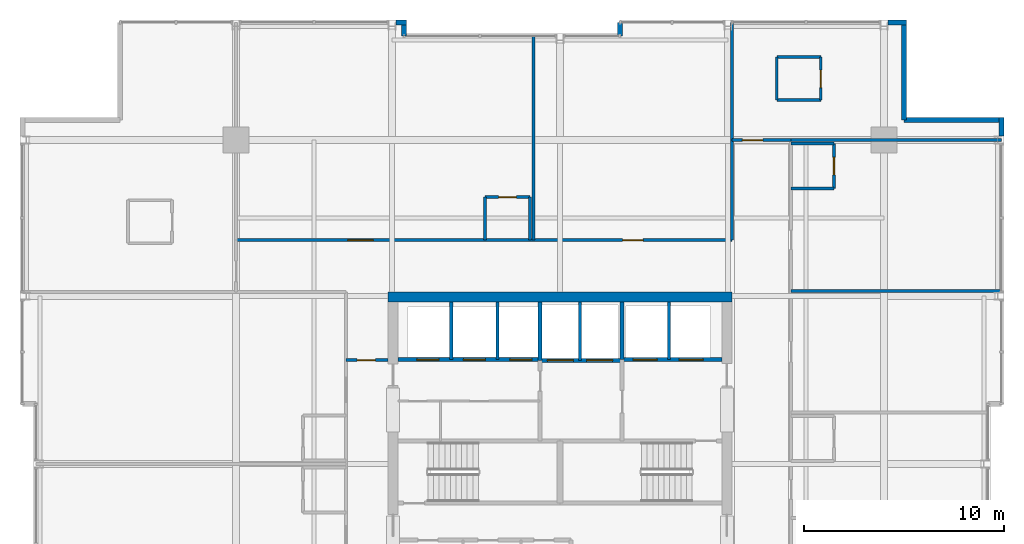
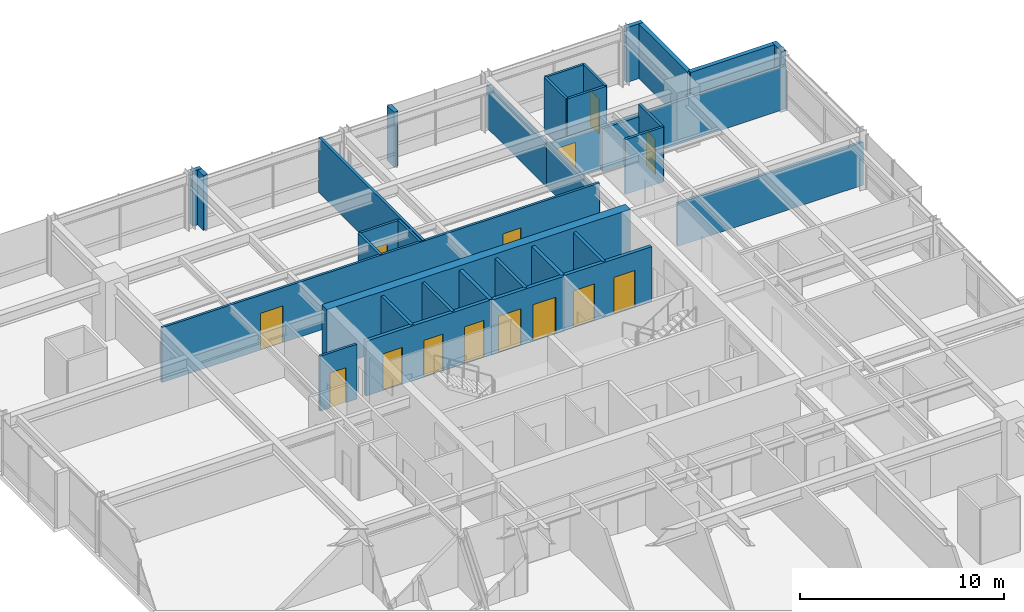
# One storey, part 29 of 32: 35 walls, 14 doors, 14 openings.
"""IFC4 building model written with IfcOpenShell, lengths in metres."""

from ifc_helpers import new_model, si_unit, direction, frame, frame_2d, origin, place, context, subcontext, project, spatial, rectangle, extrude, material, layer, layer_set, type_object, element, fill, save


model = new_model("IFC4")

# Units and contexts
model_context = context("Model", 3, precision=1e-05, world=origin(), true_north=direction((0.0, 1.0)))
body_context = subcontext(model_context, "Body", "Model", "MODEL_VIEW")
ifc_project = project(units=[si_unit("LENGTHUNIT", "METRE"), si_unit("AREAUNIT", "SQUARE_METRE"), si_unit("VOLUMEUNIT", "CUBIC_METRE"), si_unit("PLANEANGLEUNIT", "RADIAN"), si_unit("MASSUNIT", "GRAM", prefix="KILO")], contexts=[model_context])

# Site, building, storey
site_placement = place(None, origin())
site = spatial("IfcSite", under=ifc_project, at=site_placement, CompositionType="ELEMENT")
building_placement = place(site_placement, origin())
building = spatial("IfcBuilding", under=site, at=building_placement, Name="Drelvath Grand Hotel", CompositionType="ELEMENT")
storey_placement = place(building_placement, frame((0.0, 0.0, 193.0)))
storey = spatial("IfcBuildingStorey", under=building, at=storey_placement, Name="L50", CompositionType="ELEMENT", Elevation=193.0)

# Wall, openings, doors
ifc_material_1 = material(Name="Concrete C40/50", Category="concrete")
ifc_layer_1 = layer(ifc_material_1, 0.199951171875)
ifc_layer_set_1 = layer_set([ifc_layer_1], Name="Concrete C40/50")
wall_type_1 = type_object("IfcWallType", Name="Core Hoistway Fire Wall 200", PredefinedType="SOLIDWALL", material=ifc_layer_set_1)
wall_1_placement = place(storey_placement, frame((3.10009765625, 32.219970703125, 0.0), z_axis=(0.0, 0.0, 1.0), x_axis=(1.0, 0.0, 0.0)))
wall_1 = element("IfcWall", 1, at=wall_1_placement, inside=storey, type_object=wall_type_1, Name="L50 FSAE Hoistway Front Wall", PredefinedType="SOLIDWALL", context=body_context, shape_type="SweptSolid", body=[
    extrude(rectangle(XDim=5.0, YDim=0.199951171875, at=frame_2d((2.5, 0.0))), origin(), (0.0, 0.0, 1.0), 3.2900390625),
])
opening_1_placement = place(wall_1_placement, frame((0.550048828125, 0.0, 0.0)))
opening_1 = element("IfcOpeningElement", 2, at=opening_1_placement, cuts=wall_1, Name="Opening LD-FSAE-1", PredefinedType="OPENING", context=body_context, shape_type="SweptSolid", body=[
    extrude(rectangle(XDim=1.199951171875, YDim=2.199951171875, at=frame_2d((0.60009765625, 1.10009765625))), frame((0.0, 0.10986328125, 0.0), z_axis=(0.0, -1.0, 0.0), x_axis=(1.0, 0.0, 0.0)), (0.0, 0.0, 1.0), 0.219970703125),
])
opening_2_placement = place(wall_1_placement, frame((2.85009765625, 0.0, 0.0)))
opening_2 = element("IfcOpeningElement", 3, at=opening_2_placement, cuts=wall_1, Name="Opening LD-FSAE-2", PredefinedType="OPENING", context=body_context, shape_type="SweptSolid", body=[
    extrude(rectangle(XDim=1.199951171875, YDim=2.199951171875, at=frame_2d((0.60009765625, 1.10009765625))), frame((0.0, 0.10986328125, 0.0), z_axis=(0.0, -1.0, 0.0), x_axis=(1.0, 0.0, 0.0)), (0.0, 0.0, 1.0), 0.219970703125),
])
ifc_material_2 = material(Name="Stainless Steel S355", Category="steel")
door_type_1 = type_object("IfcDoorType", Name="FSAE Lift Sliding Landing Door 1200x2200", OperationType="NOTDEFINED", PredefinedType="DOOR", material=ifc_material_2)
door_1_placement = place(opening_1_placement, origin())
door_1 = element("IfcDoor", 4, at=door_1_placement, inside=storey, type_object=door_type_1, Name="L50 Lift FSAE-1 Landing Door", OperationType="SLIDING_TO_LEFT", OverallHeight=2.199951171875, OverallWidth=1.199951171875, PredefinedType="DOOR", context=body_context, shape_type="SweptSolid", body=[
    extrude(rectangle(XDim=1.199951171875, YDim=2.199951171875, at=frame_2d((0.60009765625, 1.10009765625))), frame((0.0, 0.02490234375, 0.0), z_axis=(0.0, -1.0, 0.0), x_axis=(1.0, 0.0, 0.0)), (0.0, 0.0, 1.0), 0.050048828125),
])
fill(opening_1, door_1)
door_2_placement = place(opening_2_placement, origin())
door_2 = element("IfcDoor", 5, at=door_2_placement, inside=storey, type_object=door_type_1, Name="L50 Lift FSAE-2 Landing Door", OperationType="SLIDING_TO_LEFT", OverallHeight=2.199951171875, OverallWidth=1.199951171875, PredefinedType="DOOR", context=body_context, shape_type="SweptSolid", body=[
    extrude(rectangle(XDim=1.199951171875, YDim=2.199951171875, at=frame_2d((0.60009765625, 1.10009765625))), frame((0.0, 0.02490234375, 0.0), z_axis=(0.0, -1.0, 0.0), x_axis=(1.0, 0.0, 0.0)), (0.0, 0.0, 1.0), 0.050048828125),
])
fill(opening_2, door_2)

# Wall
wall_2_placement = place(storey_placement, frame((3.10009765625, 32.219970703125, 0.0), z_axis=(0.0, 0.0, 1.0), x_axis=(0.0, 1.0, 0.0)))
element("IfcWall", 6, at=wall_2_placement, inside=storey, type_object=wall_type_1, Name="L50 FSAE Hoistway West Wall", PredefinedType="SOLIDWALL", context=body_context, shape_type="SweptSolid", body=[
    extrude(rectangle(XDim=2.880126953125, YDim=0.199951171875, at=frame_2d((1.43994140625, 0.0))), origin(), (0.0, 0.0, 1.0), 3.2900390625),
])

# Wall, openings, doors
wall_3_placement = place(storey_placement, frame((-1.0, 32.179931640625, 0.0), z_axis=(0.0, 0.0, 1.0), x_axis=(1.0, 0.0, 0.0)))
wall_3 = element("IfcWall", 7, at=wall_3_placement, inside=storey, type_object=wall_type_1, Name="L50 Service Lift Hoistway Wall", PredefinedType="SOLIDWALL", context=body_context, shape_type="SweptSolid", body=[
    extrude(rectangle(XDim=4.10009765625, YDim=0.199951171875, at=frame_2d((2.050048828125, 0.0))), origin(), (0.0, 0.0, 1.0), 3.2900390625),
])
opening_3_placement = place(wall_3_placement, frame((0.3701171875, 0.0, 0.0)))
opening_3 = element("IfcOpeningElement", 8, at=opening_3_placement, cuts=wall_3, Name="Opening LD-SV-2", PredefinedType="OPENING", context=body_context, shape_type="SweptSolid", body=[
    extrude(rectangle(XDim=1.300048828125, YDim=2.199951171875, at=frame_2d((0.64990234375, 1.10009765625))), frame((0.0, 0.10986328125, 0.0), z_axis=(0.0, -1.0, 0.0), x_axis=(1.0, 0.0, 0.0)), (0.0, 0.0, 1.0), 0.219970703125),
])
opening_4_placement = place(wall_3_placement, frame((2.330078125, 0.0, 0.0)))
opening_4 = element("IfcOpeningElement", 9, at=opening_4_placement, cuts=wall_3, Name="Opening LD-SV-1", PredefinedType="OPENING", context=body_context, shape_type="SweptSolid", body=[
    extrude(rectangle(XDim=1.300048828125, YDim=2.199951171875, at=frame_2d((0.64990234375, 1.10009765625))), frame((0.0, 0.10986328125, 0.0), z_axis=(0.0, -1.0, 0.0), x_axis=(1.0, 0.0, 0.0)), (0.0, 0.0, 1.0), 0.219970703125),
])
door_type_2 = type_object("IfcDoorType", Name="Service Lift Sliding Landing Door 1300x2200", OperationType="NOTDEFINED", PredefinedType="DOOR", material=ifc_material_2)
door_3_placement = place(opening_3_placement, origin())
door_3 = element("IfcDoor", 10, at=door_3_placement, inside=storey, type_object=door_type_2, Name="L50 Lift SV-2 Landing Door", OperationType="SLIDING_TO_LEFT", OverallHeight=2.199951171875, OverallWidth=1.300048828125, PredefinedType="DOOR", context=body_context, shape_type="SweptSolid", body=[
    extrude(rectangle(XDim=1.300048828125, YDim=2.199951171875, at=frame_2d((0.64990234375, 1.10009765625))), frame((0.0, 0.02490234375, 0.0), z_axis=(0.0, -1.0, 0.0), x_axis=(1.0, 0.0, 0.0)), (0.0, 0.0, 1.0), 0.050048828125),
])
fill(opening_3, door_3)
door_4_placement = place(opening_4_placement, origin())
door_4 = element("IfcDoor", 11, at=door_4_placement, inside=storey, type_object=door_type_2, Name="L50 Lift SV-1 Landing Door", OperationType="SLIDING_TO_LEFT", OverallHeight=2.199951171875, OverallWidth=1.300048828125, PredefinedType="DOOR", context=body_context, shape_type="SweptSolid", body=[
    extrude(rectangle(XDim=1.300048828125, YDim=2.199951171875, at=frame_2d((0.64990234375, 1.10009765625))), frame((0.0, 0.02490234375, 0.0), z_axis=(0.0, -1.0, 0.0), x_axis=(1.0, 0.0, 0.0)), (0.0, 0.0, 1.0), 0.050048828125),
])
fill(opening_4, door_4)

# Wall
wall_4_placement = place(storey_placement, frame((-1.0, 32.179931640625, 0.0), z_axis=(0.0, 0.0, 1.0), x_axis=(0.0, 1.0, 0.0)))
element("IfcWall", 12, at=wall_4_placement, inside=storey, type_object=wall_type_1, Name="L50 Service Lift West Wall", PredefinedType="SOLIDWALL", context=body_context, shape_type="SweptSolid", body=[
    extrude(rectangle(XDim=2.920166015625, YDim=0.199951171875, at=frame_2d((1.4599609375, 0.0))), origin(), (0.0, 0.0, 1.0), 3.2900390625),
])

# Wall, openings, doors
wall_5_placement = place(storey_placement, frame((-8.10009765625, 32.219970703125, 0.0), z_axis=(0.0, 0.0, 1.0), x_axis=(1.0, 0.0, 0.0)))
wall_5 = element("IfcWall", 13, at=wall_5_placement, inside=storey, type_object=wall_type_1, Name="L50 Bank 3 Hoistway Wall", PredefinedType="SOLIDWALL", context=body_context, shape_type="SweptSolid", body=[
    extrude(rectangle(XDim=7.10009765625, YDim=0.199951171875, at=frame_2d((3.550048828125, 0.0))), origin(), (0.0, 0.0, 1.0), 3.2900390625),
])
opening_5_placement = place(wall_5_placement, frame((0.949951171875, 0.0, 0.0)))
opening_5 = element("IfcOpeningElement", 14, at=opening_5_placement, cuts=wall_5, Name="Opening LD-PE-7", PredefinedType="OPENING", context=body_context, shape_type="SweptSolid", body=[
    extrude(rectangle(XDim=1.10009765625, YDim=2.199951171875, at=frame_2d((0.550048828125, 1.10009765625))), frame((0.0, 0.10986328125, 0.0), z_axis=(0.0, -1.0, 0.0), x_axis=(1.0, 0.0, 0.0)), (0.0, 0.0, 1.0), 0.219970703125),
])
opening_6_placement = place(wall_5_placement, frame((3.27001953125, 0.0, 0.0)))
opening_6 = element("IfcOpeningElement", 15, at=opening_6_placement, cuts=wall_5, Name="Opening LD-PE-8", PredefinedType="OPENING", context=body_context, shape_type="SweptSolid", body=[
    extrude(rectangle(XDim=1.10009765625, YDim=2.199951171875, at=frame_2d((0.550048828125, 1.10009765625))), frame((0.0, 0.10986328125, 0.0), z_axis=(0.0, -1.0, 0.0), x_axis=(1.0, 0.0, 0.0)), (0.0, 0.0, 1.0), 0.219970703125),
])
opening_7_placement = place(wall_5_placement, frame((5.590087890625, 0.0, 0.0)))
opening_7 = element("IfcOpeningElement", 16, at=opening_7_placement, cuts=wall_5, Name="Opening LD-PE-9", PredefinedType="OPENING", context=body_context, shape_type="SweptSolid", body=[
    extrude(rectangle(XDim=1.10009765625, YDim=2.199951171875, at=frame_2d((0.550048828125, 1.10009765625))), frame((0.0, 0.10986328125, 0.0), z_axis=(0.0, -1.0, 0.0), x_axis=(1.0, 0.0, 0.0)), (0.0, 0.0, 1.0), 0.219970703125),
])
door_type_3 = type_object("IfcDoorType", Name="Passenger Lift Sliding Landing Door 1100x2200", OperationType="NOTDEFINED", PredefinedType="DOOR", material=ifc_material_2)
door_5_placement = place(opening_5_placement, origin())
door_5 = element("IfcDoor", 17, at=door_5_placement, inside=storey, type_object=door_type_3, Name="L50 Lift PE-7 Landing Door", OperationType="SLIDING_TO_LEFT", OverallHeight=2.199951171875, OverallWidth=1.10009765625, PredefinedType="DOOR", context=body_context, shape_type="SweptSolid", body=[
    extrude(rectangle(XDim=1.10009765625, YDim=2.199951171875, at=frame_2d((0.550048828125, 1.10009765625))), frame((0.0, 0.02490234375, 0.0), z_axis=(0.0, -1.0, 0.0), x_axis=(1.0, 0.0, 0.0)), (0.0, 0.0, 1.0), 0.050048828125),
])
fill(opening_5, door_5)
door_6_placement = place(opening_6_placement, origin())
door_6 = element("IfcDoor", 18, at=door_6_placement, inside=storey, type_object=door_type_3, Name="L50 Lift PE-8 Landing Door", OperationType="SLIDING_TO_LEFT", OverallHeight=2.199951171875, OverallWidth=1.10009765625, PredefinedType="DOOR", context=body_context, shape_type="SweptSolid", body=[
    extrude(rectangle(XDim=1.10009765625, YDim=2.199951171875, at=frame_2d((0.550048828125, 1.10009765625))), frame((0.0, 0.02490234375, 0.0), z_axis=(0.0, -1.0, 0.0), x_axis=(1.0, 0.0, 0.0)), (0.0, 0.0, 1.0), 0.050048828125),
])
fill(opening_6, door_6)
door_7_placement = place(opening_7_placement, origin())
door_7 = element("IfcDoor", 19, at=door_7_placement, inside=storey, type_object=door_type_3, Name="L50 Lift PE-9 Landing Door", OperationType="SLIDING_TO_LEFT", OverallHeight=2.199951171875, OverallWidth=1.10009765625, PredefinedType="DOOR", context=body_context, shape_type="SweptSolid", body=[
    extrude(rectangle(XDim=1.10009765625, YDim=2.199951171875, at=frame_2d((0.550048828125, 1.10009765625))), frame((0.0, 0.02490234375, 0.0), z_axis=(0.0, -1.0, 0.0), x_axis=(1.0, 0.0, 0.0)), (0.0, 0.0, 1.0), 0.050048828125),
])
fill(opening_7, door_7)

# Walls
ifc_material_3 = material(Name="Gypsum Fireboard Partition")
ifc_layer_2 = layer(ifc_material_3, 0.1650390625)
ifc_layer_set_2 = layer_set([ifc_layer_2], Name="Gypsum Fireboard Partition")
wall_type_2 = type_object("IfcWallType", Name="Core Shaft Partition 165", PredefinedType="PARTITIONING", material=ifc_layer_set_2)
wall_6_placement = place(storey_placement, frame((5.449951171875, 32.219970703125, 0.0), z_axis=(0.0, 0.0, 1.0), x_axis=(0.0, 1.0, 0.0)))
element("IfcWall", 20, at=wall_6_placement, inside=storey, type_object=wall_type_2, Name="L50 FSAE Hoistway Divider", PredefinedType="PARTITIONING", context=body_context, shape_type="SweptSolid", body=[
    extrude(rectangle(XDim=2.880126953125, YDim=0.1650390625, at=frame_2d((1.43994140625, 0.0))), origin(), (0.0, 0.0, 1.0), 3.2900390625),
])
wall_7_placement = place(storey_placement, frame((1.0, 32.179931640625, 0.0), z_axis=(0.0, 0.0, 1.0), x_axis=(0.0, 1.0, 0.0)))
element("IfcWall", 21, at=wall_7_placement, inside=storey, type_object=wall_type_2, Name="L50 Service Lift Divider", PredefinedType="PARTITIONING", context=body_context, shape_type="SweptSolid", body=[
    extrude(rectangle(XDim=2.920166015625, YDim=0.1650390625, at=frame_2d((1.4599609375, 0.0))), origin(), (0.0, 0.0, 1.0), 3.2900390625),
])
for number, where, z_axis, x_axis, name in (
    (22, (-5.43994140625, 32.219970703125, 0.0), (0.0, 0.0, 1.0), (0.0, 1.0, 0.0), "L50 Lift PE-7/8 Divider"),
    (23, (-3.1201171875, 32.219970703125, 0.0), (0.0, 0.0, 1.0), (0.0, 1.0, 0.0), "L50 Lift PE-8/9 Divider"),
):
    element("IfcWall", number, at=place(storey_placement, frame(where, z_axis=z_axis, x_axis=x_axis)), inside=storey, type_object=wall_type_2, Name=name, PredefinedType="PARTITIONING", context=body_context, shape_type="SweptSolid", body=[
        extrude(rectangle(XDim=2.880126953125, YDim=0.1650390625, at=frame_2d((1.43994140625, 0.0))), origin(), (0.0, 0.0, 1.0), 3.2900390625),
    ])

# Wall, opening, door
ifc_layer_3 = layer(ifc_material_3, 0.135009765625)
ifc_layer_set_3 = layer_set([ifc_layer_3], Name="Gypsum Fireboard Partition")
wall_type_3 = type_object("IfcWallType", Name="Corridor Fire Barrier Wall 135", PredefinedType="PARTITIONING", material=ifc_layer_set_3)
wall_8_placement = place(storey_placement, frame((-10.699951171875, 32.199951171875, 0.0), z_axis=(0.0, 0.0, 1.0), x_axis=(1.0, 0.0, 0.0)))
wall_8 = element("IfcWall", 24, at=wall_8_placement, inside=storey, type_object=wall_type_3, Name="L50 West Foyer North Wall", PredefinedType="PARTITIONING", context=body_context, shape_type="SweptSolid", body=[
    extrude(rectangle(XDim=2.099853515625, YDim=0.135009765625, at=frame_2d((1.0498046875, 0.0))), origin(), (0.0, 0.0, 1.0), 3.2900390625),
])
opening_8_placement = place(wall_8_placement, frame((0.550048828125, 0.0, 0.0)))
opening_8 = element("IfcOpeningElement", 25, at=opening_8_placement, cuts=wall_8, Name="Opening D-T3G5-025", PredefinedType="OPENING", context=body_context, shape_type="SweptSolid", body=[
    extrude(rectangle(XDim=0.919921875, YDim=2.10009765625, at=frame_2d((0.4599609375, 1.050048828125))), frame((0.0, 0.077392578125, 0.0), z_axis=(0.0, -1.0, 0.0), x_axis=(1.0, 0.0, 0.0)), (0.0, 0.0, 1.0), 0.155029296875),
])
ifc_material_4 = material(Name="Painted Steel S275", Category="steel")
door_type_4 = type_object("IfcDoorType", Name="Staff Utility Door 920x2100", OperationType="NOTDEFINED", PredefinedType="DOOR", material=ifc_material_4)
door_8_placement = place(opening_8_placement, origin())
door_8 = element("IfcDoor", 26, at=door_8_placement, inside=storey, type_object=door_type_4, Name="L50 West Pantry Door", OperationType="SINGLE_SWING_LEFT", OverallHeight=2.10009765625, OverallWidth=0.919921875, PredefinedType="DOOR", context=body_context, shape_type="SweptSolid", body=[
    extrude(rectangle(XDim=0.919921875, YDim=2.10009765625, at=frame_2d((0.4599609375, 1.050048828125))), frame((0.0, 0.02490234375, 0.0), z_axis=(0.0, -1.0, 0.0), x_axis=(1.0, 0.0, 0.0)), (0.0, 0.0, 1.0), 0.050048828125),
])
fill(opening_8, door_8)

# Wall
wall_9_placement = place(storey_placement, frame((8.60009765625, 38.199951171875, 0.0), z_axis=(0.0, 0.0, 1.0), x_axis=(0.0, 1.0, 0.0)))
element("IfcWall", 27, at=wall_9_placement, inside=storey, type_object=wall_type_3, Name="L50 East Spine North Inner Wall", PredefinedType="PARTITIONING", context=body_context, shape_type="SweptSolid", body=[
    extrude(rectangle(XDim=5.0, YDim=0.135009765625, at=frame_2d((2.5, 0.0))), origin(), (0.0, 0.0, 1.0), 2.66748046875),
])

# Wall, openings, doors
wall_10_placement = place(storey_placement, frame((-16.199951171875, 38.199951171875, 0.0), z_axis=(0.0, 0.0, 1.0), x_axis=(1.0, 0.0, 0.0)))
wall_10 = element("IfcWall", 28, at=wall_10_placement, inside=storey, type_object=wall_type_3, Name="L50 North Stub Corridor Wall", PredefinedType="PARTITIONING", context=body_context, shape_type="SweptSolid", body=[
    extrude(rectangle(XDim=24.800048828125, YDim=0.135009765625, at=frame_2d((12.39990234375, 0.0))), origin(), (0.0, 0.0, 1.0), 3.2900390625),
])
opening_9_placement = place(wall_10_placement, frame((5.594970703125, 0.0, 0.0)))
opening_9 = element("IfcOpeningElement", 29, at=opening_9_placement, cuts=wall_10, Name="Opening D-T3G5-044", PredefinedType="OPENING", context=body_context, shape_type="SweptSolid", body=[
    extrude(rectangle(XDim=1.260009765625, YDim=2.199951171875, at=frame_2d((0.6298828125, 1.10009765625))), frame((0.0, 0.077392578125, 0.0), z_axis=(0.0, -1.0, 0.0), x_axis=(1.0, 0.0, 0.0)), (0.0, 0.0, 1.0), 0.155029296875),
])
opening_10_placement = place(wall_10_placement, frame((19.330078125, 0.0, 0.0)))
opening_10 = element("IfcOpeningElement", 30, at=opening_10_placement, cuts=wall_10, Name="Opening D-T3G5-045", PredefinedType="OPENING", context=body_context, shape_type="SweptSolid", body=[
    extrude(rectangle(XDim=1.02001953125, YDim=2.14990234375, at=frame_2d((0.510009765625, 1.074951171875))), frame((0.0, 0.077392578125, 0.0), z_axis=(0.0, -1.0, 0.0), x_axis=(1.0, 0.0, 0.0)), (0.0, 0.0, 1.0), 0.155029296875),
])
ifc_material_5 = material(Name="Hardwood Walnut Timber", Category="wood")
door_type_5 = type_object("IfcDoorType", Name="Amenity Meeting Fire Door 1020x2150", OperationType="NOTDEFINED", PredefinedType="DOOR", material=ifc_material_5)
door_9_placement = place(opening_10_placement, origin())
door_9 = element("IfcDoor", 31, at=door_9_placement, inside=storey, type_object=door_type_5, Name="L50 Horizon Club Lounge Entry Door", OperationType="SINGLE_SWING_LEFT", OverallHeight=2.14990234375, OverallWidth=1.02001953125, PredefinedType="DOOR", context=body_context, shape_type="SweptSolid", body=[
    extrude(rectangle(XDim=1.02001953125, YDim=2.14990234375, at=frame_2d((0.510009765625, 1.074951171875))), frame((0.0, 0.02490234375, 0.0), z_axis=(0.0, -1.0, 0.0), x_axis=(1.0, 0.0, 0.0)), (0.0, 0.0, 1.0), 0.050048828125),
])
fill(opening_10, door_9)
door_type_6 = type_object("IfcDoorType", Name="Suite Entrance Fire Door 1260x2200", OperationType="NOTDEFINED", PredefinedType="DOOR", material=ifc_material_5)
door_10_placement = place(opening_9_placement, origin())
door_10 = element("IfcDoor", 32, at=door_10_placement, inside=storey, type_object=door_type_6, Name="L50 Executive Suite Entry Door", OperationType="SINGLE_SWING_RIGHT", OverallHeight=2.199951171875, OverallWidth=1.260009765625, PredefinedType="DOOR", context=body_context, shape_type="SweptSolid", body=[
    extrude(rectangle(XDim=1.260009765625, YDim=2.199951171875, at=frame_2d((0.6298828125, 1.10009765625))), frame((0.0, 0.02490234375, 0.0), z_axis=(0.0, -1.0, 0.0), x_axis=(1.0, 0.0, 0.0)), (0.0, 0.0, 1.0), 0.050048828125),
])
fill(opening_9, door_10)

# Wall, opening, door
wall_11_placement = place(storey_placement, frame((8.60009765625, 43.199951171875, 0.0), z_axis=(0.0, 0.0, 1.0), x_axis=(1.0, 0.0, 0.0)))
wall_11 = element("IfcWall", 33, at=wall_11_placement, inside=storey, type_object=wall_type_3, Name="L50 East Spine North End", PredefinedType="PARTITIONING", context=body_context, shape_type="SweptSolid", body=[
    extrude(rectangle(XDim=2.949951171875, YDim=0.135009765625, at=frame_2d((1.47509765625, 0.0))), origin(), (0.0, 0.0, 1.0), 2.57958984375),
])
opening_11_placement = place(wall_11_placement, frame((0.52001953125, 0.0, 0.0)))
opening_11 = element("IfcOpeningElement", 34, at=opening_11_placement, cuts=wall_11, Name="Opening D-T3G5-033", PredefinedType="OPENING", context=body_context, shape_type="SweptSolid", body=[
    extrude(rectangle(XDim=1.02001953125, YDim=2.14990234375, at=frame_2d((0.510009765625, 1.074951171875))), frame((0.0, 0.077392578125, 0.0), z_axis=(0.0, -1.0, 0.0), x_axis=(1.0, 0.0, 0.0)), (0.0, 0.0, 1.0), 0.155029296875),
])
door_11_placement = place(opening_11_placement, origin())
door_11 = element("IfcDoor", 35, at=door_11_placement, inside=storey, type_object=door_type_5, Name="L50 Executive Suite Entry Door", OperationType="SINGLE_SWING_LEFT", OverallHeight=2.14990234375, OverallWidth=1.02001953125, PredefinedType="DOOR", context=body_context, shape_type="SweptSolid", body=[
    extrude(rectangle(XDim=1.02001953125, YDim=2.14990234375, at=frame_2d((0.510009765625, 1.074951171875))), frame((0.0, 0.02490234375, 0.0), z_axis=(0.0, -1.0, 0.0), x_axis=(1.0, 0.0, 0.0)), (0.0, 0.0, 1.0), 0.050048828125),
])
fill(opening_11, door_11)

# Walls
ifc_material_6 = material(Name="Moisture-Resistant Gypsum Board")
ifc_layer_4 = layer(ifc_material_6, 0.139892578125)
ifc_layer_set_4 = layer_set([ifc_layer_4], Name="Moisture-Resistant Gypsum Board")
wall_type_4 = type_object("IfcWallType", Name="En-Suite Plumbing Wall 140", PredefinedType="PLUMBINGWALL", material=ifc_layer_set_4)
for number, where, z_axis, x_axis, name in (
    (36, (10.840087890625, 45.199951171875, 0.0), (0.0, 0.0, 1.0), (1.0, 0.0, 0.0), "L50 Corner En-Suite South"),
    (37, (10.840087890625, 47.35009765625, 0.0), (0.0, 0.0, 1.0), (1.0, 0.0, 0.0), "L50 Corner En-Suite North"),
):
    element("IfcWall", number, at=place(storey_placement, frame(where, z_axis=z_axis, x_axis=x_axis)), inside=storey, type_object=wall_type_4, Name=name, PredefinedType="PLUMBINGWALL", context=body_context, shape_type="SweptSolid", body=[
        extrude(rectangle(XDim=2.199951171875, YDim=0.139892578125, at=frame_2d((1.10009765625, 0.0))), origin(), (0.0, 0.0, 1.0), 3.2900390625),
    ])
wall_12_placement = place(storey_placement, frame((10.840087890625, 45.199951171875, 0.0), z_axis=(0.0, 0.0, 1.0), x_axis=(0.0, 1.0, 0.0)))
element("IfcWall", 38, at=wall_12_placement, inside=storey, type_object=wall_type_4, Name="L50 Corner En-Suite West", PredefinedType="PLUMBINGWALL", context=body_context, shape_type="SweptSolid", body=[
    extrude(rectangle(XDim=2.150146484375, YDim=0.139892578125, at=frame_2d((1.0751953125, 0.0))), origin(), (0.0, 0.0, 1.0), 3.2900390625),
])

# Wall, opening, door
wall_13_placement = place(storey_placement, frame((13.0400390625, 45.199951171875, 0.0), z_axis=(0.0, 0.0, 1.0), x_axis=(0.0, 1.0, 0.0)))
wall_13 = element("IfcWall", 39, at=wall_13_placement, inside=storey, type_object=wall_type_4, Name="L50 Corner En-Suite East", PredefinedType="PLUMBINGWALL", context=body_context, shape_type="SweptSolid", body=[
    extrude(rectangle(XDim=2.150146484375, YDim=0.139892578125, at=frame_2d((1.0751953125, 0.0))), origin(), (0.0, 0.0, 1.0), 3.2900390625),
])
opening_12_placement = place(wall_13_placement, frame((0.6201171875, 0.0, 0.0)))
opening_12 = element("IfcOpeningElement", 40, at=opening_12_placement, cuts=wall_13, Name="Opening D-T3G5-032", PredefinedType="OPENING", context=body_context, shape_type="SweptSolid", body=[
    extrude(rectangle(XDim=0.8798828125, YDim=2.10009765625, at=frame_2d((0.43994140625, 1.050048828125))), frame((0.0, 0.079833984375, 0.0), z_axis=(0.0, -1.0, 0.0), x_axis=(1.0, 0.0, 0.0)), (0.0, 0.0, 1.0), 0.159912109375),
])
door_type_7 = type_object("IfcDoorType", Name="En-Suite Bathroom Door 880x2100", OperationType="NOTDEFINED", PredefinedType="DOOR", material=ifc_material_5)
door_12_placement = place(opening_12_placement, origin())
door_12 = element("IfcDoor", 41, at=door_12_placement, inside=storey, type_object=door_type_7, Name="L50 Corner En-Suite Door", OperationType="SINGLE_SWING_RIGHT", OverallHeight=2.10009765625, OverallWidth=0.8798828125, PredefinedType="DOOR", context=body_context, shape_type="SweptSolid", body=[
    extrude(rectangle(XDim=0.8798828125, YDim=2.10009765625, at=frame_2d((0.43994140625, 1.050048828125))), frame((0.0, 0.02490234375, 0.0), z_axis=(0.0, -1.0, 0.0), x_axis=(1.0, 0.0, 0.0)), (0.0, 0.0, 1.0), 0.050048828125),
])
fill(opening_12, door_12)

# Walls
for number, where, z_axis, x_axis, name in (
    (42, (-3.75, 38.199951171875, 0.0), (0.0, 0.0, 1.0), (0.0, 1.0, 0.0), "L50 En-Suite Left Wall"),
    (43, (-1.5, 38.199951171875, 0.0), (0.0, 0.0, 1.0), (0.0, 1.0, 0.0), "L50 En-Suite Right Wall"),
):
    element("IfcWall", number, at=place(storey_placement, frame(where, z_axis=z_axis, x_axis=x_axis)), inside=storey, type_object=wall_type_4, Name=name, PredefinedType="PLUMBINGWALL", context=body_context, shape_type="SweptSolid", body=[
        extrude(rectangle(XDim=2.150146484375, YDim=0.139892578125, at=frame_2d((1.0751953125, 0.0))), origin(), (0.0, 0.0, 1.0), 3.2900390625),
    ])

# Wall, opening, door
wall_14_placement = place(storey_placement, frame((-3.75, 40.35009765625, 0.0), z_axis=(0.0, 0.0, 1.0), x_axis=(1.0, 0.0, 0.0)))
wall_14 = element("IfcWall", 44, at=wall_14_placement, inside=storey, type_object=wall_type_4, Name="L50 En-Suite Front Wall", PredefinedType="PLUMBINGWALL", context=body_context, shape_type="SweptSolid", body=[
    extrude(rectangle(XDim=2.25, YDim=0.139892578125, at=frame_2d((1.125, 0.0))), origin(), (0.0, 0.0, 1.0), 3.2900390625),
])
opening_13_placement = place(wall_14_placement, frame((0.68505859375, 0.0, 0.0)))
opening_13 = element("IfcOpeningElement", 45, at=opening_13_placement, cuts=wall_14, Name="Opening D-T3G5-043", PredefinedType="OPENING", context=body_context, shape_type="SweptSolid", body=[
    extrude(rectangle(XDim=0.8798828125, YDim=2.10009765625, at=frame_2d((0.43994140625, 1.050048828125))), frame((0.0, 0.079833984375, 0.0), z_axis=(0.0, -1.0, 0.0), x_axis=(1.0, 0.0, 0.0)), (0.0, 0.0, 1.0), 0.159912109375),
])
door_13_placement = place(opening_13_placement, origin())
door_13 = element("IfcDoor", 46, at=door_13_placement, inside=storey, type_object=door_type_7, Name="L50 En-Suite Bathroom Door", OperationType="SINGLE_SWING_LEFT", OverallHeight=2.10009765625, OverallWidth=0.8798828125, PredefinedType="DOOR", context=body_context, shape_type="SweptSolid", body=[
    extrude(rectangle(XDim=0.8798828125, YDim=2.10009765625, at=frame_2d((0.43994140625, 1.050048828125))), frame((0.0, 0.02490234375, 0.0), z_axis=(0.0, -1.0, 0.0), x_axis=(1.0, 0.0, 0.0)), (0.0, 0.0, 1.0), 0.050048828125),
])
fill(opening_13, door_13)

# Walls
wall_15_placement = place(storey_placement, frame((11.550048828125, 40.77001953125, 0.0), z_axis=(0.0, 0.0, 1.0), x_axis=(1.0, 0.0, 0.0)))
element("IfcWall", 47, at=wall_15_placement, inside=storey, type_object=wall_type_4, Name="L50 En-Suite Left Wall", PredefinedType="PLUMBINGWALL", context=body_context, shape_type="SweptSolid", body=[
    extrude(rectangle(XDim=2.14990234375, YDim=0.139892578125, at=frame_2d((1.074951171875, 0.0))), origin(), (0.0, 0.0, 1.0), 3.2900390625),
])
wall_16_placement = place(storey_placement, frame((11.550048828125, 43.02001953125, 0.0), z_axis=(0.0, 0.0, 1.0), x_axis=(1.0, 0.0, 0.0)))
element("IfcWall", 48, at=wall_16_placement, inside=storey, type_object=wall_type_4, Name="L50 En-Suite Right Wall", PredefinedType="PLUMBINGWALL", context=body_context, shape_type="SweptSolid", body=[
    extrude(rectangle(XDim=2.14990234375, YDim=0.139892578125, at=frame_2d((1.074951171875, 0.0))), origin(), (0.0, 0.0, 1.0), 2.57958984375),
])

# Wall, opening, door
wall_17_placement = place(storey_placement, frame((13.699951171875, 40.77001953125, 0.0), z_axis=(0.0, 0.0, 1.0), x_axis=(0.0, 1.0, 0.0)))
wall_17 = element("IfcWall", 49, at=wall_17_placement, inside=storey, type_object=wall_type_4, Name="L50 En-Suite Front Wall", PredefinedType="PLUMBINGWALL", context=body_context, shape_type="SweptSolid", body=[
    extrude(rectangle(XDim=2.25, YDim=0.139892578125, at=frame_2d((1.125, 0.0))), origin(), (0.0, 0.0, 1.0), 3.2900390625),
])
opening_14_placement = place(wall_17_placement, frame((0.68505859375, 0.0, 0.0)))
opening_14 = element("IfcOpeningElement", 50, at=opening_14_placement, cuts=wall_17, Name="Opening D-T3G5-052", PredefinedType="OPENING", context=body_context, shape_type="SweptSolid", body=[
    extrude(rectangle(XDim=0.8798828125, YDim=2.10009765625, at=frame_2d((0.43994140625, 1.050048828125))), frame((0.0, 0.079833984375, 0.0), z_axis=(0.0, -1.0, 0.0), x_axis=(1.0, 0.0, 0.0)), (0.0, 0.0, 1.0), 0.159912109375),
])
door_14_placement = place(opening_14_placement, origin())
door_14 = element("IfcDoor", 51, at=door_14_placement, inside=storey, type_object=door_type_7, Name="L50 En-Suite Bathroom Door", OperationType="SINGLE_SWING_RIGHT", OverallHeight=2.10009765625, OverallWidth=0.8798828125, PredefinedType="DOOR", context=body_context, shape_type="SweptSolid", body=[
    extrude(rectangle(XDim=0.8798828125, YDim=2.10009765625, at=frame_2d((0.43994140625, 1.050048828125))), frame((0.0, 0.02490234375, 0.0), z_axis=(0.0, -1.0, 0.0), x_axis=(1.0, 0.0, 0.0)), (0.0, 0.0, 1.0), 0.050048828125),
])
fill(opening_14, door_14)

# Walls
ifc_material_7 = material(Name="Gypsum Acoustic Partition")
ifc_layer_5 = layer(ifc_material_7, 0.14990234375)
ifc_layer_set_5 = layer_set([ifc_layer_5], Name="Gypsum Acoustic Partition")
wall_type_5 = type_object("IfcWallType", Name="Guestroom Demising Wall 150", PredefinedType="PARTITIONING", material=ifc_layer_set_5)
wall_18_placement = place(storey_placement, frame((-1.320068359375, 38.199951171875, 0.0), z_axis=(0.0, 0.0, 1.0), x_axis=(0.0, 1.0, 0.0)))
element("IfcWall", 52, at=wall_18_placement, inside=storey, type_object=wall_type_5, Name="L50 North Demising 1", PredefinedType="PARTITIONING", context=body_context, shape_type="SweptSolid", body=[
    extrude(rectangle(XDim=10.199951171875, YDim=0.14990234375, at=frame_2d((5.10009765625, 0.0))), origin(), (0.0, 0.0, 1.0), 3.2900390625),
])
wall_19_placement = place(storey_placement, frame((11.550048828125, 35.639892578125, 0.0), z_axis=(0.0, 0.0, 1.0), x_axis=(1.0, 0.0, 0.0)))
element("IfcWall", 53, at=wall_19_placement, inside=storey, type_object=wall_type_5, Name="L50 East Demising 4", PredefinedType="PARTITIONING", context=body_context, shape_type="SweptSolid", body=[
    extrude(rectangle(XDim=10.530029296875, YDim=0.14990234375, at=frame_2d((5.26513671875, 0.0))), origin(), (0.0, 0.0, 1.0), 2.57958984375),
])
ifc_layer_6 = layer(ifc_material_7, 0.1650390625)
ifc_layer_set_6 = layer_set([ifc_layer_6], Name="Gypsum Acoustic Partition")
wall_type_6 = type_object("IfcWallType", Name="Suite Demising Wall 165", PredefinedType="PARTITIONING", material=ifc_layer_set_6)
wall_20_placement = place(storey_placement, frame((8.60009765625, 43.199951171875, 0.0), z_axis=(0.0, 0.0, 1.0), x_axis=(0.0, 1.0, 0.0)))
element("IfcWall", 54, at=wall_20_placement, inside=storey, type_object=wall_type_6, Name="L50 NE Suite West Wall", PredefinedType="PARTITIONING", context=body_context, shape_type="SweptSolid", body=[
    extrude(rectangle(XDim=5.880126953125, YDim=0.1650390625, at=frame_2d((2.93994140625, 0.0))), origin(), (0.0, 0.0, 1.0), 2.57958984375),
])
wall_21_placement = place(storey_placement, frame((11.550048828125, 43.199951171875, 0.0), z_axis=(0.0, 0.0, 1.0), x_axis=(1.0, 0.0, 0.0)))
element("IfcWall", 55, at=wall_21_placement, inside=storey, type_object=wall_type_6, Name="L50 NE Suite South Wall", PredefinedType="PARTITIONING", context=body_context, shape_type="SweptSolid", body=[
    extrude(rectangle(XDim=10.530029296875, YDim=0.1650390625, at=frame_2d((5.26513671875, 0.0))), origin(), (0.0, 0.0, 1.0), 2.57958984375),
])
ifc_material_8 = material(Name="Pale-Metal Insulated Aluminium Spandrel Assembly", Category="aluminium")
ifc_layer_7 = layer(ifc_material_8, 0.239990234375)
ifc_layer_set_7 = layer_set([ifc_layer_7], Name="Pale-Metal Insulated Aluminium Spandrel Assembly")
wall_type_7 = type_object("IfcWallType", Name="Tower Insulated Metal Spandrel Closure Wall 240", PredefinedType="STANDARD", material=ifc_layer_set_7)
wall_22_placement = place(storey_placement, frame((22.080078125, 44.320068359375, 0.0), z_axis=(0.0, 0.0, 1.0), x_axis=(0.0, -1.0, 0.0)))
element("IfcWall", 56, at=wall_22_placement, inside=storey, type_object=wall_type_7, Name="L50 Corner Pier Spandrel Wall EN3", PredefinedType="STANDARD", context=body_context, shape_type="SweptSolid", body=[
    extrude(rectangle(XDim=0.928466796875, YDim=0.239990234375, at=frame_2d((0.46435546875, 0.0))), origin(), (0.0, 0.0, 1.0), 3.2900390625),
])
wall_23_placement = place(storey_placement, frame((-8.208251953125, 49.080078125, 0.0), z_axis=(0.0, 0.0, 1.0), x_axis=(1.0, 0.0, 0.0)))
element("IfcWall", 57, at=wall_23_placement, inside=storey, type_object=wall_type_7, Name="L50 Corner Pier Spandrel Wall NW3", PredefinedType="STANDARD", context=body_context, shape_type="SweptSolid", body=[
    extrude(rectangle(XDim=0.5283203125, YDim=0.239990234375, at=frame_2d((0.26416015625, 0.0))), origin(), (0.0, 0.0, 1.0), 3.2900390625),
])
wall_24_placement = place(storey_placement, frame((16.3916015625, 49.080078125, 0.0), z_axis=(0.0, 0.0, 1.0), x_axis=(1.0, 0.0, 0.0)))
element("IfcWall", 58, at=wall_24_placement, inside=storey, type_object=wall_type_7, Name="L50 Corner Pier Spandrel Wall NE3", PredefinedType="STANDARD", context=body_context, shape_type="SweptSolid", body=[
    extrude(rectangle(XDim=0.928466796875, YDim=0.239990234375, at=frame_2d((0.46435546875, 0.0))), origin(), (0.0, 0.0, 1.0), 3.2900390625),
])
for number, where, z_axis, x_axis, name in (
    (59, (17.199951171875, 48.9599609375, 0.0), (0.0, 0.0, 1.0), (0.0, -1.0, 0.0), "L50 Notched Corner Return Spandrel Wall CNE1"),
    (60, (17.199951171875, 44.199951171875, 0.0), (0.0, 0.0, 1.0), (1.0, 0.0, 0.0), "L50 Notched Corner Return Spandrel Wall CNE2"),
):
    element("IfcWall", number, at=place(storey_placement, frame(where, z_axis=z_axis, x_axis=x_axis)), inside=storey, type_object=wall_type_7, Name=name, PredefinedType="STANDARD", context=body_context, shape_type="SweptSolid", body=[
        extrude(rectangle(XDim=4.760009765625, YDim=0.239990234375, at=frame_2d((2.3798828125, 0.0))), origin(), (0.0, 0.0, 1.0), 3.2900390625),
    ])
wall_25_placement = place(storey_placement, frame((-7.800048828125, 48.9599609375, 0.0), z_axis=(0.0, 0.0, 1.0), x_axis=(0.0, -1.0, 0.0)))
element("IfcWall", 61, at=wall_25_placement, inside=storey, type_object=wall_type_7, Name="L50 Notched Corner Return Spandrel Wall RN1", PredefinedType="STANDARD", context=body_context, shape_type="SweptSolid", body=[
    extrude(rectangle(XDim=0.56005859375, YDim=0.239990234375, at=frame_2d((0.280029296875, 0.0))), origin(), (0.0, 0.0, 1.0), 3.2900390625),
])
wall_26_placement = place(storey_placement, frame((3.0, 48.39990234375, 0.0), z_axis=(0.0, 0.0, 1.0), x_axis=(0.0, 1.0, 0.0)))
element("IfcWall", 62, at=wall_26_placement, inside=storey, type_object=wall_type_7, Name="L50 Notched Corner Return Spandrel Wall RN2", PredefinedType="STANDARD", context=body_context, shape_type="SweptSolid", body=[
    extrude(rectangle(XDim=0.68017578125, YDim=0.239990234375, at=frame_2d((0.340087890625, 0.0))), origin(), (0.0, 0.0, 1.0), 3.2900390625),
])
ifc_material_9 = material(Name="Concrete f'c 55 MPa", Category="concrete")
ifc_layer_8 = layer(ifc_material_9, 0.5)
ifc_layer_set_8 = layer_set([ifc_layer_8], Name="Concrete f'c 55 MPa")
wall_type_8 = type_object("IfcWallType", Name="Upper Core RC Shear Wall 500", PredefinedType="SHEAR", material=ifc_layer_set_8)
wall_27_placement = place(storey_placement, frame((-8.60009765625, 35.35009765625, 0.0), z_axis=(0.0, 0.0, 1.0), x_axis=(1.0, 0.0, 0.0)))
element("IfcWall", 63, at=wall_27_placement, inside=storey, type_object=wall_type_8, Name="L50 Central Core Shear Wall N", PredefinedType="SHEAR", context=body_context, shape_type="SweptSolid", body=[
    extrude(rectangle(XDim=17.2001953125, YDim=0.5, at=frame_2d((8.60009765625, 0.0))), origin(), (0.0, 0.0, 1.0), 3.550048828125),
])

save(model, "model.ifc")
